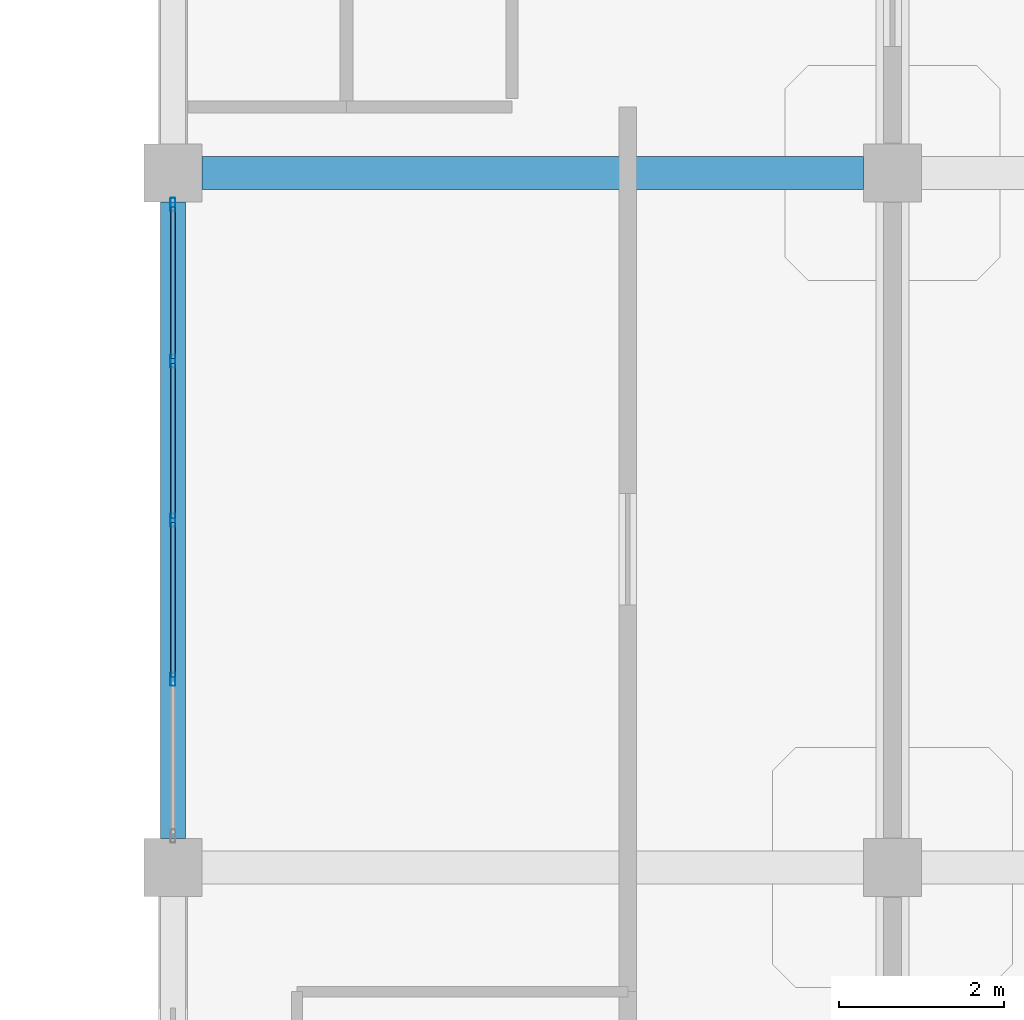
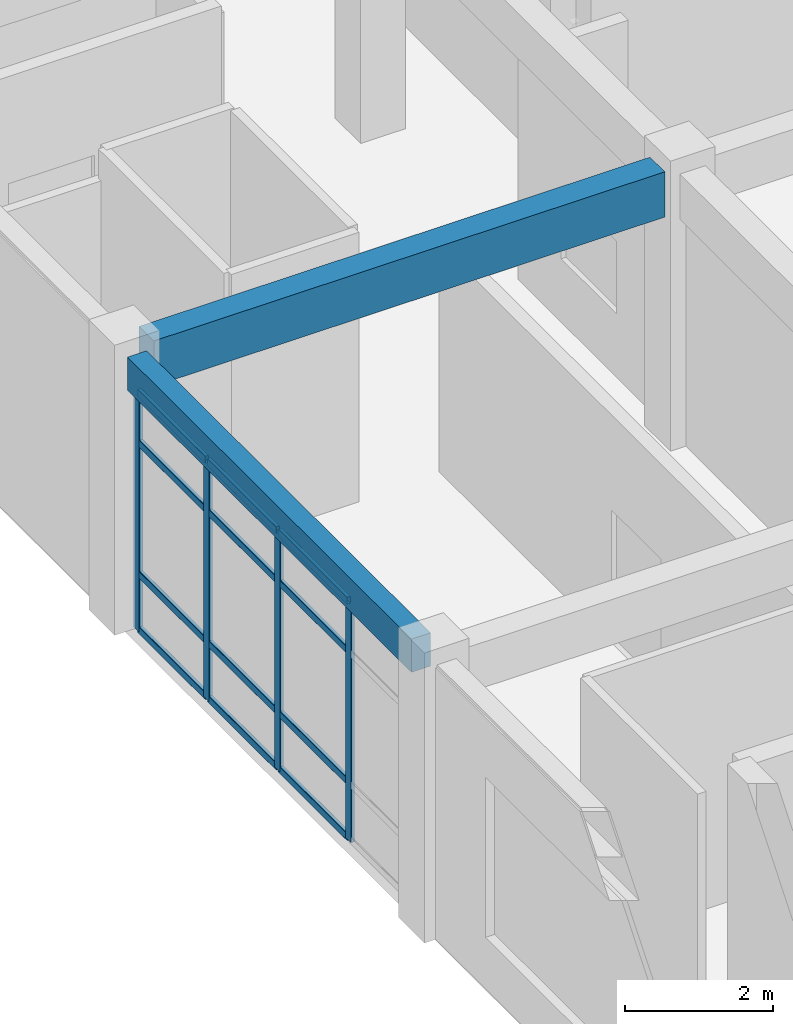
# One storey, part 43 of 76: 16 members, 2 beams, 1 element without a shape of its own.
"""IFC4 building model written with IfcOpenShell, lengths in metres."""

import ifcopenshell
import ifcopenshell.guid

model = None  # the IFC model being written
_history = None  # IfcOwnerHistory: only IFC2X3 demands one
_inside = {}  # id of a spatial element -> (the spatial element, [elements in it])
_under = {}  # id of a project, library or spatial element -> (it, [spatial elements below it])
_declared = {}  # id of a project -> (the project, [libraries it declares])
_typed = {}  # id of a type object -> (the type object, [elements of that type])
_made_of = {}  # id of a material, layer set ... -> (it, [elements and type objects made of it])


def new_model(schema):
    """Start an empty IFC model of exactly this schema.

    Asked for "IFC4X3", IfcOpenShell would pick the latest addendum, in which some entities
    have other attributes; the version numbers below select the first issue.
    IFC2X3 requires an IfcOwnerHistory on every rooted entity: one is made here for all.
    """
    global model, _history
    if schema == "IFC4X3":
        model = ifcopenshell.file(schema_version=(4, 3, 0, 0))
    else:
        model = ifcopenshell.file(schema=schema)
    _inside.clear()
    _under.clear()
    _declared.clear()
    _typed.clear()
    _made_of.clear()
    _history = None
    if model.schema == "IFC2X3":
        org = make("IfcOrganization", Name="unknown")
        user = make(
            "IfcPersonAndOrganization",
            ThePerson=make("IfcPerson", FamilyName="unknown"),
            TheOrganization=org,
        )
        app = make(
            "IfcApplication",
            ApplicationDeveloper=org,
            Version="unknown",
            ApplicationFullName="unknown",
            ApplicationIdentifier="unknown",
        )
        _history = make(
            "IfcOwnerHistory",
            OwningUser=user,
            OwningApplication=app,
            ChangeAction="ADDED",
            CreationDate=0,
        )
    return model


def make(cls, **values):
    """One entity of the class cls with the attributes given. An attribute that is None is left unset."""
    return model.create_entity(
        cls, **{name: value for name, value in values.items() if value is not None}
    )


def rooted(cls, **values):
    """An entity with a GlobalId (a new one), such as an element, a storey or a relation."""
    return make(cls, GlobalId=ifcopenshell.guid.new(), OwnerHistory=_history, **values)


def si_unit(unit_type, name, prefix=None):
    """IfcSIUnit, for example si_unit("LENGTHUNIT", "METRE", prefix="MILLI")."""
    return make("IfcSIUnit", UnitType=unit_type, Prefix=prefix, Name=name)


def derived_unit(unit_type, elements):
    """IfcDerivedUnit: a product of units, each with its exponent."""
    return make(
        "IfcDerivedUnit",
        Elements=[
            make("IfcDerivedUnitElement", Unit=unit, Exponent=power)
            for unit, power in elements
        ],
        UnitType=unit_type,
    )


def assignment(units):
    """IfcUnitAssignment: the units of a project."""
    return None if units is None else make("IfcUnitAssignment", Units=units)


def point(xyz):
    """IfcCartesianPoint."""
    return None if xyz is None else make("IfcCartesianPoint", Coordinates=xyz)


def direction(xyz):
    """IfcDirection."""
    return None if xyz is None else make("IfcDirection", DirectionRatios=xyz)


def frame(location, z_axis=None, x_axis=None):
    """IfcAxis2Placement3D, a coordinate frame: its origin and axes. An axis left out is left unset."""
    return make(
        "IfcAxis2Placement3D",
        Location=point(location),
        Axis=direction(z_axis),
        RefDirection=direction(x_axis),
    )


def frame_2d(location, x_axis=None):
    """IfcAxis2Placement2D, a coordinate frame in the plane: its origin and x axis."""
    return make(
        "IfcAxis2Placement2D", Location=point(location), RefDirection=direction(x_axis)
    )


def origin():
    """The frame at (0, 0, 0) with its axes left unset."""
    return frame((0.0, 0.0, 0.0))


def origin_2d():
    """The frame at (0, 0) in the plane with its x axis left unset."""
    return frame_2d((0.0, 0.0))


def place(relative_to, where):
    """IfcLocalPlacement: puts the frame where relative to a parent placement (None: the world)."""
    return make(
        "IfcLocalPlacement", PlacementRelTo=relative_to, RelativePlacement=where
    )


def context(
    kind, dimensions, precision=None, world=None, true_north=None, identifier=None
):
    """IfcGeometricRepresentationContext, for example the 3D "Model" context."""
    return make(
        "IfcGeometricRepresentationContext",
        ContextIdentifier=identifier,
        ContextType=kind,
        CoordinateSpaceDimension=dimensions,
        Precision=precision,
        WorldCoordinateSystem=world,
        TrueNorth=true_north,
    )


def subcontext(parent, identifier, kind, view, scale=None):
    """IfcGeometricRepresentationSubContext, for example "Body" below "Model"."""
    return make(
        "IfcGeometricRepresentationSubContext",
        ContextIdentifier=identifier,
        ContextType=kind,
        ParentContext=parent,
        TargetScale=scale,
        TargetView=view,
    )


def project(units=None, contexts=None):
    """IfcProject with its units and contexts."""
    return rooted(
        "IfcProject",
        Name="project",
        RepresentationContexts=contexts,
        UnitsInContext=assignment(units),
    )


def spatial(cls, under=None, at=None, **own):
    """A site, building, storey or space (cls), placed at a placement, below another one or the project."""
    s = rooted(cls, ObjectPlacement=at, **own)
    if under is not None:
        _under.setdefault(under.id(), (under, []))[1].append(s)
    return s


def profile(cls, at=None, kind="AREA", **sizes):
    """A parametric profile (cls). Its sizes go by their IFC names, for example OverallWidth=200.0."""
    return make(cls, ProfileType=kind, Position=at, **sizes)


def rectangle(**sizes):
    """IfcRectangleProfileDef."""
    return profile("IfcRectangleProfileDef", **sizes)


def hollow_rectangle(**sizes):
    """IfcRectangleHollowProfileDef."""
    return profile("IfcRectangleHollowProfileDef", **sizes)


def extrude(swept, where, along, depth):
    """IfcExtrudedAreaSolid: the profile swept, set in the frame where, extruded along a direction by depth."""
    return make(
        "IfcExtrudedAreaSolid",
        SweptArea=swept,
        Position=where,
        ExtrudedDirection=direction(along),
        Depth=depth,
    )


def shape(context_of_items, identifier, shape_type, items):
    """IfcShapeRepresentation: the items that make up one representation, for example the "Body"."""
    return make(
        "IfcShapeRepresentation",
        ContextOfItems=context_of_items,
        RepresentationIdentifier=identifier,
        RepresentationType=shape_type,
        Items=items,
    )


def material(Name=None, Category=None):
    """IfcMaterial."""
    return make("IfcMaterial", Name=Name, Category=Category)


def layer(
    of_material, thickness, ventilated=None, Name=None, Category=None, Priority=None
):
    """IfcMaterialLayer: one layer of a wall or slab, of a material (None: an air gap)."""
    return make(
        "IfcMaterialLayer",
        Material=of_material,
        LayerThickness=thickness,
        IsVentilated=ventilated,
        Name=Name,
        Category=Category,
        Priority=Priority,
    )


def layer_set(layers, Name=None):
    """IfcMaterialLayerSet."""
    return make("IfcMaterialLayerSet", MaterialLayers=layers, LayerSetName=Name)


def material_profile(
    of_material, cross_section, Name=None, Category=None, Priority=None
):
    """IfcMaterialProfile: a cross section and its material."""
    return make(
        "IfcMaterialProfile",
        Name=Name,
        Material=of_material,
        Profile=cross_section,
        Priority=Priority,
        Category=Category,
    )


def profile_set(profiles, Name=None, composite=None):
    """IfcMaterialProfileSet."""
    return make(
        "IfcMaterialProfileSet",
        Name=Name,
        MaterialProfiles=profiles,
        CompositeProfile=composite,
    )


def made_of(thing, what):
    """Note that an element or type object is made of a material, layer set ...; save() writes the relation."""
    if what is not None:
        _made_of.setdefault(what.id(), (what, []))[1].append(thing)
    return thing


def type_object(cls, material=None, **own):
    """A type object (cls), such as IfcWallType, which elements share."""
    return made_of(rooted(cls, **own), material)


def element(
    cls,
    number,
    at=None,
    inside=None,
    cuts=None,
    type_object=None,
    material=None,
    context=None,
    identifier="Body",
    shape_type=None,
    held_by="IfcProductDefinitionShape",
    body=None,
    shapes=None,
    **own,
):
    """One element of the class cls, such as IfcWall. Its Tag is "e" and its number.

    at: its placement. inside: the storey or other place that contains it. cuts: it is an
    opening in that element (IfcRelVoidsElement). A single representation is given by context,
    identifier, shape_type and body (its items); several are given by shapes. held_by: the class
    of the entity that holds the representations. save() writes the other relations.
    """
    e = rooted(cls, Tag="e%d" % number, ObjectPlacement=at, **own)
    if body is not None:
        shapes = [shape(context, identifier, shape_type, body)]
    if shapes is not None:
        e.Representation = make(held_by, Representations=shapes)
    if inside is not None:
        _inside.setdefault(inside.id(), (inside, []))[1].append(e)
    if cuts is not None:
        rooted(
            "IfcRelVoidsElement", RelatingBuildingElement=cuts, RelatedOpeningElement=e
        )
    if type_object is not None:
        _typed.setdefault(type_object.id(), (type_object, []))[1].append(e)
    return made_of(e, material)


def aggregate(whole, parts):
    """IfcRelAggregates: a whole, such as a stair, and the parts it consists of."""
    return rooted("IfcRelAggregates", RelatingObject=whole, RelatedObjects=parts)


def save(model, path):
    """Write the relations noted so far, then the file.

    IfcRelAggregates (storeys below a building ...), IfcRelContainedInSpatialStructure (elements
    in a storey), IfcRelDefinesByType, IfcRelAssociatesMaterial and IfcRelDeclares: one each for
    every whole, place, type object, material and project.
    """
    for whole, parts in _under.values():
        aggregate(whole, parts)
    for where, things in _inside.values():
        rooted(
            "IfcRelContainedInSpatialStructure",
            RelatedElements=things,
            RelatingStructure=where,
        )
    for kind, things in _typed.values():
        rooted("IfcRelDefinesByType", RelatedObjects=things, RelatingType=kind)
    for what, things in _made_of.values():
        rooted("IfcRelAssociatesMaterial", RelatedObjects=things, RelatingMaterial=what)
    for by, libraries in _declared.values():
        rooted("IfcRelDeclares", RelatingContext=by, RelatedDefinitions=libraries)
    model.write(path)


model = new_model("IFC4")

# Units and contexts
model_context = context("Model", 3, precision=1e-05, world=origin(), true_north=direction((0.0, 1.0)))
body_context = subcontext(model_context, "Body", "Model", "MODEL_VIEW")
ifc_project = project(units=[si_unit("LENGTHUNIT", "METRE"), si_unit("AREAUNIT", "SQUARE_METRE"), si_unit("VOLUMEUNIT", "CUBIC_METRE"), si_unit("PLANEANGLEUNIT", "RADIAN"), si_unit("MASSUNIT", "GRAM", prefix="KILO"), derived_unit("THERMALTRANSMITTANCEUNIT", [(si_unit("MASSUNIT", "GRAM", prefix="KILO"), 1), (si_unit("TIMEUNIT", "SECOND"), -3), (si_unit("THERMODYNAMICTEMPERATUREUNIT", "KELVIN"), -1)])], contexts=[model_context])

# Site, building, storey
site_placement = place(None, origin())
site = spatial("IfcSite", under=ifc_project, at=site_placement, CompositionType="ELEMENT")
building_placement = place(site_placement, origin())
building = spatial("IfcBuilding", under=site, at=building_placement, Name="Qinzheling Arcade Emporium", CompositionType="ELEMENT")
storey_placement = place(building_placement, frame((0.0, 0.0, 26.699951171875)))
storey = spatial("IfcBuildingStorey", under=building, at=storey_placement, Name="L06", CompositionType="ELEMENT", Elevation=26.699951171875)

# Curtain wall, members
ifc_material_1 = material(Name="Anodised aluminium and solar-control double glazing", Category="aluminium")
ifc_layer = layer(ifc_material_1, 0.159912109375, Name="Anodised aluminium and solar-control double glazing", Category="aluminium")
ifc_layer_set = layer_set([ifc_layer], Name="Anodised aluminium and solar-control double glazing")
curtain_wall_type = type_object("IfcCurtainWallType", Name="Arcade Portal Glazed Curtain Wall", PredefinedType="NOTDEFINED", material=ifc_layer_set)
curtain_wall_placement = place(storey_placement, origin())
curtain_wall = element("IfcCurtainWall", 1, at=curtain_wall_placement, inside=storey, type_object=curtain_wall_type, Name="Curtain Wall CW-L06-382", PredefinedType="NOTDEFINED")
ifc_material_2 = material(Name="Anodised aluminium 6063-T6", Category="aluminium")
ifc_material_profile_1 = material_profile(ifc_material_2, hollow_rectangle(XDim=0.06005859375, YDim=0.159912109375, WallThickness=0.00390625, InnerFilletRadius=0.00390625, OuterFilletRadius=0.008056640625, at=origin_2d()), Name="RHS 160x60x4", Category="aluminium")
ifc_profile_set_1 = profile_set([ifc_material_profile_1], Name="Anodised aluminium 6063-T6")
member_type_1 = type_object("IfcMemberType", Name="Curtain Wall Mullion RHS160x60", PredefinedType="MULLION", material=ifc_profile_set_1)
member_1_placement = place(storey_placement, frame((104.39990234375, 84.47607421875, 0.0), z_axis=(0.0, 0.0, 1.0), x_axis=(-1.0, 0.0, 0.0)))
member_1 = element("IfcMember", 2, at=member_1_placement, type_object=member_type_1, Name="CW05 mullion 2", PredefinedType="MULLION", context=body_context, shape_type="SweptSolid", body=[
    extrude(hollow_rectangle(XDim=0.06005859375, YDim=0.159912109375, WallThickness=0.00390625, InnerFilletRadius=0.00390625, OuterFilletRadius=0.008056640625, at=origin_2d()), origin(), (0.0, 0.0, 1.0), 3.969970703125),
])
member_2_placement = place(storey_placement, frame((104.39990234375, 86.39990234375, 0.0), z_axis=(0.0, 0.0, 1.0), x_axis=(-1.0, 0.0, 0.0)))
member_2 = element("IfcMember", 3, at=member_2_placement, type_object=member_type_1, Name="CW05 mullion 3", PredefinedType="MULLION", context=body_context, shape_type="SweptSolid", body=[
    extrude(hollow_rectangle(XDim=0.06005859375, YDim=0.159912109375, WallThickness=0.00390625, InnerFilletRadius=0.00390625, OuterFilletRadius=0.008056640625, at=origin_2d()), origin(), (0.0, 0.0, 1.0), 3.969970703125),
])
member_3_placement = place(storey_placement, frame((104.39990234375, 88.323974609375, 0.0), z_axis=(0.0, 0.0, 1.0), x_axis=(-1.0, 0.0, 0.0)))
member_3 = element("IfcMember", 4, at=member_3_placement, type_object=member_type_1, Name="CW05 mullion 4", PredefinedType="MULLION", context=body_context, shape_type="SweptSolid", body=[
    extrude(hollow_rectangle(XDim=0.06005859375, YDim=0.159912109375, WallThickness=0.00390625, InnerFilletRadius=0.00390625, OuterFilletRadius=0.008056640625, at=origin_2d()), origin(), (0.0, 0.0, 1.0), 3.969970703125),
])
member_4_placement = place(storey_placement, frame((104.39990234375, 90.218017578125, 0.0), z_axis=(0.0, 0.0, 1.0), x_axis=(-1.0, 0.0, 0.0)))
member_4 = element("IfcMember", 5, at=member_4_placement, type_object=member_type_1, Name="CW05 mullion 5", PredefinedType="MULLION", context=body_context, shape_type="SweptSolid", body=[
    extrude(hollow_rectangle(XDim=0.06005859375, YDim=0.159912109375, WallThickness=0.00390625, InnerFilletRadius=0.00390625, OuterFilletRadius=0.008056640625, at=origin_2d()), origin(), (0.0, 0.0, 1.0), 3.969970703125),
])
ifc_material_profile_2 = material_profile(ifc_material_2, hollow_rectangle(XDim=0.06005859375, YDim=0.1201171875, WallThickness=0.00390625, InnerFilletRadius=0.00390625, OuterFilletRadius=0.008056640625, at=origin_2d()), Name="RHS 120x60x4", Category="aluminium")
ifc_profile_set_2 = profile_set([ifc_material_profile_2], Name="Anodised aluminium 6063-T6")
member_type_2 = type_object("IfcMemberType", Name="Curtain Wall Transom RHS120x60", PredefinedType="USERDEFINED", material=ifc_profile_set_2)
member_5_placement = place(storey_placement, frame((104.39990234375, 84.506103515625, 0.030029296875), z_axis=(0.0, 1.0, 0.0), x_axis=(-1.0, 0.0, 0.0)))
member_5 = element("IfcMember", 6, at=member_5_placement, type_object=member_type_2, Name="CW05 transom 2.1", ObjectType="TRANSOM", PredefinedType="USERDEFINED", context=body_context, shape_type="SweptSolid", body=[
    extrude(hollow_rectangle(XDim=0.06005859375, YDim=0.1201171875, WallThickness=0.00390625, InnerFilletRadius=0.00390625, OuterFilletRadius=0.008056640625, at=origin_2d()), origin(), (0.0, 0.0, 1.0), 1.864013671875),
])
member_6_placement = place(storey_placement, frame((104.39990234375, 84.506103515625, 0.949951171875), z_axis=(0.0, 1.0, 0.0), x_axis=(-1.0, 0.0, 0.0)))
member_6 = element("IfcMember", 7, at=member_6_placement, type_object=member_type_2, Name="CW05 transom 2.2", ObjectType="TRANSOM", PredefinedType="USERDEFINED", context=body_context, shape_type="SweptSolid", body=[
    extrude(hollow_rectangle(XDim=0.06005859375, YDim=0.1201171875, WallThickness=0.00390625, InnerFilletRadius=0.00390625, OuterFilletRadius=0.008056640625, at=origin_2d()), origin(), (0.0, 0.0, 1.0), 1.864013671875),
])
member_7_placement = place(storey_placement, frame((104.39990234375, 84.506103515625, 3.1201171875), z_axis=(0.0, 1.0, 0.0), x_axis=(-1.0, 0.0, 0.0)))
member_7 = element("IfcMember", 8, at=member_7_placement, type_object=member_type_2, Name="CW05 transom 2.3", ObjectType="TRANSOM", PredefinedType="USERDEFINED", context=body_context, shape_type="SweptSolid", body=[
    extrude(hollow_rectangle(XDim=0.06005859375, YDim=0.1201171875, WallThickness=0.00390625, InnerFilletRadius=0.00390625, OuterFilletRadius=0.008056640625, at=origin_2d()), origin(), (0.0, 0.0, 1.0), 1.864013671875),
])
member_8_placement = place(storey_placement, frame((104.39990234375, 84.506103515625, 3.93994140625), z_axis=(0.0, 1.0, 0.0), x_axis=(-1.0, 0.0, 0.0)))
member_8 = element("IfcMember", 9, at=member_8_placement, type_object=member_type_2, Name="CW05 transom 2.4", ObjectType="TRANSOM", PredefinedType="USERDEFINED", context=body_context, shape_type="SweptSolid", body=[
    extrude(hollow_rectangle(XDim=0.06005859375, YDim=0.1201171875, WallThickness=0.00390625, InnerFilletRadius=0.00390625, OuterFilletRadius=0.008056640625, at=origin_2d()), origin(), (0.0, 0.0, 1.0), 1.864013671875),
])
member_9_placement = place(storey_placement, frame((104.39990234375, 86.429931640625, 0.030029296875), z_axis=(0.0, 1.0, 0.0), x_axis=(-1.0, 0.0, 0.0)))
member_9 = element("IfcMember", 10, at=member_9_placement, type_object=member_type_2, Name="CW05 transom 3.1", ObjectType="TRANSOM", PredefinedType="USERDEFINED", context=body_context, shape_type="SweptSolid", body=[
    extrude(hollow_rectangle(XDim=0.06005859375, YDim=0.1201171875, WallThickness=0.00390625, InnerFilletRadius=0.00390625, OuterFilletRadius=0.008056640625, at=origin_2d()), origin(), (0.0, 0.0, 1.0), 1.864013671875),
])
member_10_placement = place(storey_placement, frame((104.39990234375, 86.429931640625, 0.949951171875), z_axis=(0.0, 1.0, 0.0), x_axis=(-1.0, 0.0, 0.0)))
member_10 = element("IfcMember", 11, at=member_10_placement, type_object=member_type_2, Name="CW05 transom 3.2", ObjectType="TRANSOM", PredefinedType="USERDEFINED", context=body_context, shape_type="SweptSolid", body=[
    extrude(hollow_rectangle(XDim=0.06005859375, YDim=0.1201171875, WallThickness=0.00390625, InnerFilletRadius=0.00390625, OuterFilletRadius=0.008056640625, at=origin_2d()), origin(), (0.0, 0.0, 1.0), 1.864013671875),
])
member_11_placement = place(storey_placement, frame((104.39990234375, 86.429931640625, 3.1201171875), z_axis=(0.0, 1.0, 0.0), x_axis=(-1.0, 0.0, 0.0)))
member_11 = element("IfcMember", 12, at=member_11_placement, type_object=member_type_2, Name="CW05 transom 3.3", ObjectType="TRANSOM", PredefinedType="USERDEFINED", context=body_context, shape_type="SweptSolid", body=[
    extrude(hollow_rectangle(XDim=0.06005859375, YDim=0.1201171875, WallThickness=0.00390625, InnerFilletRadius=0.00390625, OuterFilletRadius=0.008056640625, at=origin_2d()), origin(), (0.0, 0.0, 1.0), 1.864013671875),
])
member_12_placement = place(storey_placement, frame((104.39990234375, 86.429931640625, 3.93994140625), z_axis=(0.0, 1.0, 0.0), x_axis=(-1.0, 0.0, 0.0)))
member_12 = element("IfcMember", 13, at=member_12_placement, type_object=member_type_2, Name="CW05 transom 3.4", ObjectType="TRANSOM", PredefinedType="USERDEFINED", context=body_context, shape_type="SweptSolid", body=[
    extrude(hollow_rectangle(XDim=0.06005859375, YDim=0.1201171875, WallThickness=0.00390625, InnerFilletRadius=0.00390625, OuterFilletRadius=0.008056640625, at=origin_2d()), origin(), (0.0, 0.0, 1.0), 1.864013671875),
])
member_13_placement = place(storey_placement, frame((104.39990234375, 88.35400390625, 0.030029296875), z_axis=(0.0, 1.0, 0.0), x_axis=(-1.0, 0.0, 0.0)))
member_13 = element("IfcMember", 14, at=member_13_placement, type_object=member_type_2, Name="CW05 transom 4.1", ObjectType="TRANSOM", PredefinedType="USERDEFINED", context=body_context, shape_type="SweptSolid", body=[
    extrude(hollow_rectangle(XDim=0.06005859375, YDim=0.1201171875, WallThickness=0.00390625, InnerFilletRadius=0.00390625, OuterFilletRadius=0.008056640625, at=origin_2d()), origin(), (0.0, 0.0, 1.0), 1.833984375),
])
member_14_placement = place(storey_placement, frame((104.39990234375, 88.35400390625, 0.949951171875), z_axis=(0.0, 1.0, 0.0), x_axis=(-1.0, 0.0, 0.0)))
member_14 = element("IfcMember", 15, at=member_14_placement, type_object=member_type_2, Name="CW05 transom 4.2", ObjectType="TRANSOM", PredefinedType="USERDEFINED", context=body_context, shape_type="SweptSolid", body=[
    extrude(hollow_rectangle(XDim=0.06005859375, YDim=0.1201171875, WallThickness=0.00390625, InnerFilletRadius=0.00390625, OuterFilletRadius=0.008056640625, at=origin_2d()), origin(), (0.0, 0.0, 1.0), 1.833984375),
])
member_15_placement = place(storey_placement, frame((104.39990234375, 88.35400390625, 3.1201171875), z_axis=(0.0, 1.0, 0.0), x_axis=(-1.0, 0.0, 0.0)))
member_15 = element("IfcMember", 16, at=member_15_placement, type_object=member_type_2, Name="CW05 transom 4.3", ObjectType="TRANSOM", PredefinedType="USERDEFINED", context=body_context, shape_type="SweptSolid", body=[
    extrude(hollow_rectangle(XDim=0.06005859375, YDim=0.1201171875, WallThickness=0.00390625, InnerFilletRadius=0.00390625, OuterFilletRadius=0.008056640625, at=origin_2d()), origin(), (0.0, 0.0, 1.0), 1.833984375),
])
member_16_placement = place(storey_placement, frame((104.39990234375, 88.35400390625, 3.93994140625), z_axis=(0.0, 1.0, 0.0), x_axis=(-1.0, 0.0, 0.0)))
member_16 = element("IfcMember", 17, at=member_16_placement, type_object=member_type_2, Name="CW05 transom 4.4", ObjectType="TRANSOM", PredefinedType="USERDEFINED", context=body_context, shape_type="SweptSolid", body=[
    extrude(hollow_rectangle(XDim=0.06005859375, YDim=0.1201171875, WallThickness=0.00390625, InnerFilletRadius=0.00390625, OuterFilletRadius=0.008056640625, at=origin_2d()), origin(), (0.0, 0.0, 1.0), 1.833984375),
])
aggregate(curtain_wall, [member_1, member_2, member_3, member_4, member_5, member_6, member_7, member_8, member_9, member_10, member_11, member_12, member_13, member_14, member_15, member_16])

# Beams
ifc_material_3 = material(Name="Concrete C40", Category="concrete")
ifc_material_profile_3 = material_profile(ifc_material_3, rectangle(XDim=0.39990234375, YDim=0.75, at=origin_2d()), Name="RC 400x750", Category="concrete")
ifc_profile_set_3 = profile_set([ifc_material_profile_3], Name="Concrete C40")
beam_type_1 = type_object("IfcBeamType", Name="RC Interior Tie Beam 400x750 C40", PredefinedType="BEAM", material=ifc_profile_set_3)
beam_1_placement = place(storey_placement, frame((104.75, 90.60009765625, 4.16015625), z_axis=(1.0, 0.0, 0.0), x_axis=(0.0, 1.0, 0.0)))
element("IfcBeam", 18, at=beam_1_placement, inside=storey, type_object=beam_type_1, Name="Beam BM-L06-X-L-13", PredefinedType="BEAM", context=body_context, shape_type="SweptSolid", body=[
    extrude(rectangle(XDim=0.39990234375, YDim=0.75, at=origin_2d()), origin(), (0.0, 0.0, 1.0), 8.0),
])
ifc_material_profile_4 = material_profile(ifc_material_3, rectangle(XDim=0.300048828125, YDim=0.550048828125, at=origin_2d()), Name="RC 300x550", Category="concrete")
ifc_profile_set_4 = profile_set([ifc_material_profile_4], Name="Concrete C40")
beam_type_2 = type_object("IfcBeamType", Name="RC Terrace Spandrel Beam 300x550 C40", PredefinedType="SPANDREL", material=ifc_profile_set_4)
beam_2_placement = place(storey_placement, frame((104.39990234375, 82.550048828125, 4.260009765625), z_axis=(0.0, 1.0, 0.0), x_axis=(-1.0, 0.0, 0.0)))
element("IfcBeam", 19, at=beam_2_placement, inside=storey, type_object=beam_type_2, Name="Beam BM-L06-Y-13-K", PredefinedType="SPANDREL", context=body_context, shape_type="SweptSolid", body=[
    extrude(rectangle(XDim=0.300048828125, YDim=0.550048828125, at=origin_2d()), origin(), (0.0, 0.0, 1.0), 7.699951171875),
])

save(model, "model.ifc")
